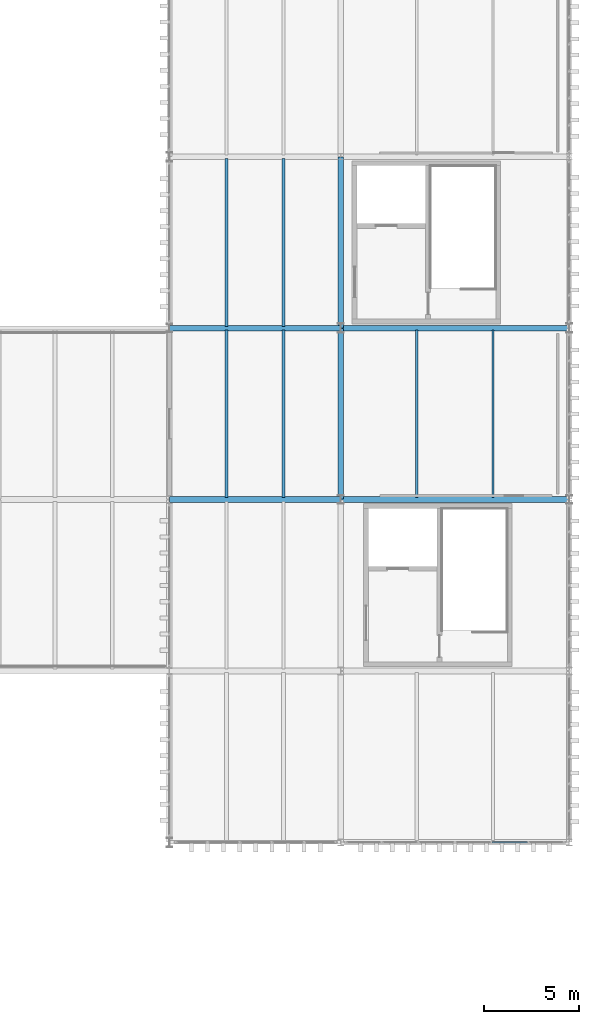
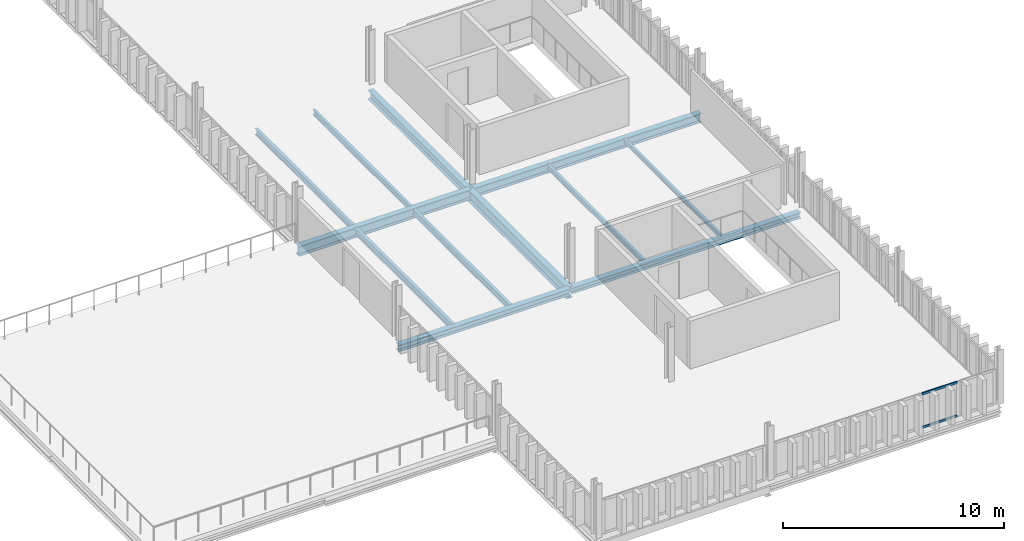
# One storey, part 20 of 58: 12 beams, 2 members, 1 element without a shape of its own.
"""IFC4 building model written with IfcOpenShell, lengths in metres."""

from ifc_helpers import new_model, si_unit, direction, frame, origin, origin_2d, place, context, subcontext, project, spatial, hollow_rectangle, i_section, extrude, material, layer, layer_set, material_profile, profile_set, type_object, element, aggregate, save


model = new_model("IFC4")

# Units and contexts
model_context = context("Model", 3, precision=1e-05, world=origin(), true_north=direction((0.0, 1.0)))
body_context = subcontext(model_context, "Body", "Model", "MODEL_VIEW")
ifc_project = project(units=[si_unit("LENGTHUNIT", "METRE"), si_unit("AREAUNIT", "SQUARE_METRE"), si_unit("VOLUMEUNIT", "CUBIC_METRE"), si_unit("PLANEANGLEUNIT", "RADIAN"), si_unit("MASSUNIT", "GRAM", prefix="KILO")], contexts=[model_context])

# Site, building, storey
site_placement = place(None, origin())
site = spatial("IfcSite", under=ifc_project, at=site_placement, CompositionType="ELEMENT")
building_placement = place(site_placement, origin())
building = spatial("IfcBuilding", under=site, at=building_placement, Name="Barlavento Convention Centre", CompositionType="ELEMENT")
storey_placement = place(building_placement, frame((0.0, 0.0, 26.800048828125)))
storey = spatial("IfcBuildingStorey", under=building, at=storey_placement, Name="L05", CompositionType="ELEMENT", Elevation=26.800048828125)

# Curtain wall, members
ifc_material_1 = material(Name="Powder-coated aluminium and Low-E glass", Category="aluminium")
ifc_layer = layer(ifc_material_1, 0.18994140625)
ifc_layer_set = layer_set([ifc_layer], Name="ARC-CW-CONF-L05")
curtain_wall_type = type_object("IfcCurtainWallType", Name="ARC-CW-CONF-L05", PredefinedType="NOTDEFINED", material=ifc_layer_set)
curtain_wall_placement = place(storey_placement, origin())
curtain_wall = element("IfcCurtainWall", 1, at=curtain_wall_placement, inside=storey, type_object=curtain_wall_type, Name="L05 unitised curtain wall CW10", PredefinedType="NOTDEFINED")
ifc_material_2 = material(Name="Powder-coated aluminium", Category="aluminium")
ifc_material_profile_1 = material_profile(ifc_material_2, hollow_rectangle(XDim=0.06005859375, YDim=0.1201171875, WallThickness=0.00390625, at=origin_2d()), Name="AL-TRAN 60x120x4")
ifc_profile_set_1 = profile_set([ifc_material_profile_1], Name="Powder-coated aluminium")
member_type = type_object("IfcMemberType", Name="ARC-CWT-60X120", PredefinedType="USERDEFINED", material=ifc_profile_set_1)
member_1_placement = place(storey_placement, frame((187.953369140625, 27.0, 0.030029296875), z_axis=(1.0, 0.0, 0.0), x_axis=(0.0, 1.0, 0.0)))
member_1 = element("IfcMember", 2, at=member_1_placement, type_object=member_type, Name="CW10 transom 5.1", ObjectType="TRANSOM", PredefinedType="USERDEFINED", context=body_context, shape_type="SweptSolid", body=[
    extrude(hollow_rectangle(XDim=0.06005859375, YDim=0.1201171875, WallThickness=0.00390625, at=origin_2d()), origin(), (0.0, 0.0, 1.0), 1.86328125),
])
member_2_placement = place(storey_placement, frame((187.953369140625, 27.0, 1.869873046875), z_axis=(1.0, 0.0, 0.0), x_axis=(0.0, 1.0, 0.0)))
member_2 = element("IfcMember", 3, at=member_2_placement, type_object=member_type, Name="CW10 transom 5.2", ObjectType="TRANSOM", PredefinedType="USERDEFINED", context=body_context, shape_type="SweptSolid", body=[
    extrude(hollow_rectangle(XDim=0.06005859375, YDim=0.1201171875, WallThickness=0.00390625, at=origin_2d()), origin(), (0.0, 0.0, 1.0), 1.86328125),
])
aggregate(curtain_wall, [member_1, member_2])

# Beams
ifc_material_3 = material(Name="Steel S355", Category="steel")
ifc_material_profile_2 = material_profile(ifc_material_3, i_section(OverallWidth=0.1201171875, OverallDepth=0.239990234375, WebThickness=0.006103515625, FlangeThickness=0.009765625, FilletRadius=0.014892578125, at=origin_2d()), Name="IPE 240")
ifc_profile_set_2 = profile_set([ifc_material_profile_2], Name="Steel S355")
beam_type_1 = type_object("IfcBeamType", Name="STR-BM-JST-IPE240", PredefinedType="JOIST", material=ifc_profile_set_2)
beam_1_placement = place(storey_placement, frame((188.0, 45.094970703125, -0.47998046875), z_axis=(0.0, 1.0, 0.0), x_axis=(-1.0, 0.0, 0.0)))
element("IfcBeam", 4, at=beam_1_placement, inside=storey, type_object=beam_type_1, Name="L05 composite floor joist SJ09", PredefinedType="JOIST", context=body_context, shape_type="SweptSolid", body=[
    extrude(i_section(OverallWidth=0.1201171875, OverallDepth=0.239990234375, WebThickness=0.006103515625, FlangeThickness=0.009765625, FilletRadius=0.014892578125, at=origin_2d()), origin(), (0.0, 0.0, 1.0), 8.81005859375),
])
ifc_material_profile_3 = material_profile(ifc_material_3, i_section(OverallWidth=0.135009765625, OverallDepth=0.27001953125, WebThickness=0.006591796875, FlangeThickness=0.01025390625, FilletRadius=0.014892578125, at=origin_2d()), Name="IPE 270")
ifc_profile_set_3 = profile_set([ifc_material_profile_3], Name="Steel S355")
beam_type_2 = type_object("IfcBeamType", Name="STR-BM-JST-IPE270", PredefinedType="JOIST", material=ifc_profile_set_3)
beam_2_placement = place(storey_placement, frame((184.0, 45.094970703125, -0.4951171875), z_axis=(0.0, 1.0, 0.0), x_axis=(-1.0, 0.0, 0.0)))
element("IfcBeam", 5, at=beam_2_placement, inside=storey, type_object=beam_type_2, Name="L05 composite floor joist SJ08", PredefinedType="JOIST", context=body_context, shape_type="SweptSolid", body=[
    extrude(i_section(OverallWidth=0.135009765625, OverallDepth=0.27001953125, WebThickness=0.006591796875, FlangeThickness=0.01025390625, FilletRadius=0.014892578125, at=origin_2d()), origin(), (0.0, 0.0, 1.0), 8.81005859375),
])
ifc_material_profile_4 = material_profile(ifc_material_3, i_section(OverallWidth=0.14990234375, OverallDepth=0.300048828125, WebThickness=0.007080078125, FlangeThickness=0.0107421875, FilletRadius=0.014892578125, at=origin_2d()), Name="IPE 300")
ifc_profile_set_4 = profile_set([ifc_material_profile_4], Name="Steel S355")
beam_type_3 = type_object("IfcBeamType", Name="STR-BM-JST-IPE300", PredefinedType="JOIST", material=ifc_profile_set_4)
beam_3_placement = place(storey_placement, frame((177.0, 54.094970703125, -0.510009765625), z_axis=(0.0, 1.0, 0.0), x_axis=(-1.0, 0.0, 0.0)))
element("IfcBeam", 6, at=beam_3_placement, inside=storey, type_object=beam_type_3, Name="L05 composite floor joist SJ07", PredefinedType="JOIST", context=body_context, shape_type="SweptSolid", body=[
    extrude(i_section(OverallWidth=0.14990234375, OverallDepth=0.300048828125, WebThickness=0.007080078125, FlangeThickness=0.0107421875, FilletRadius=0.014892578125, at=origin_2d()), origin(), (0.0, 0.0, 1.0), 8.81005859375),
])
ifc_material_profile_5 = material_profile(ifc_material_3, i_section(OverallWidth=0.159912109375, OverallDepth=0.330078125, WebThickness=0.007568359375, FlangeThickness=0.011474609375, FilletRadius=0.01806640625, at=origin_2d()), Name="IPE 330")
ifc_profile_set_5 = profile_set([ifc_material_profile_5], Name="Steel S355")
beam_type_4 = type_object("IfcBeamType", Name="STR-BM-JST-IPE330", PredefinedType="JOIST", material=ifc_profile_set_5)
for number, where, z_axis, x_axis, name in (
    (7, (177.0, 45.094970703125, -0.525146484375), (0.0, 1.0, 0.0), (-1.0, 0.0, 0.0), "L05 composite floor joist SJ06"),
    (8, (174.0, 54.094970703125, -0.525146484375), (0.0, 1.0, 0.0), (-1.0, 0.0, 0.0), "L05 composite floor joist SJ06"),
):
    element("IfcBeam", number, at=place(storey_placement, frame(where, z_axis=z_axis, x_axis=x_axis)), inside=storey, type_object=beam_type_4, Name=name, PredefinedType="JOIST", context=body_context, shape_type="SweptSolid", body=[
        extrude(i_section(OverallWidth=0.159912109375, OverallDepth=0.330078125, WebThickness=0.007568359375, FlangeThickness=0.011474609375, FilletRadius=0.01806640625, at=origin_2d()), origin(), (0.0, 0.0, 1.0), 8.81005859375),
    ])
ifc_material_profile_6 = material_profile(ifc_material_3, i_section(OverallWidth=0.169921875, OverallDepth=0.360107421875, WebThickness=0.008056640625, FlangeThickness=0.0126953125, FilletRadius=0.01806640625, at=origin_2d()), Name="IPE 360")
ifc_profile_set_6 = profile_set([ifc_material_profile_6], Name="Steel S355")
beam_type_5 = type_object("IfcBeamType", Name="STR-BM-JST-IPE360", PredefinedType="JOIST", material=ifc_profile_set_6)
beam_4_placement = place(storey_placement, frame((174.0, 45.094970703125, -0.5400390625), z_axis=(0.0, 1.0, 0.0), x_axis=(-1.0, 0.0, 0.0)))
element("IfcBeam", 9, at=beam_4_placement, inside=storey, type_object=beam_type_5, Name="L05 composite floor joist SJ05", PredefinedType="JOIST", context=body_context, shape_type="SweptSolid", body=[
    extrude(i_section(OverallWidth=0.169921875, OverallDepth=0.360107421875, WebThickness=0.008056640625, FlangeThickness=0.0126953125, FilletRadius=0.01806640625, at=origin_2d()), origin(), (0.0, 0.0, 1.0), 8.81005859375),
])
ifc_material_profile_7 = material_profile(ifc_material_3, i_section(OverallWidth=0.300048828125, OverallDepth=0.489990234375, WebThickness=0.011962890625, FlangeThickness=0.02294921875, FilletRadius=0.027099609375, at=origin_2d()), Name="HEA 500")
ifc_profile_set_7 = profile_set([ifc_material_profile_7], Name="Steel S355")
beam_type_6 = type_object("IfcBeamType", Name="STR-BM-PRI-HEA500", PredefinedType="BEAM", material=ifc_profile_set_7)
beam_5_placement = place(storey_placement, frame((180.0, 54.02001953125, -0.60498046875), z_axis=(0.0, 1.0, 0.0), x_axis=(-1.0, 0.0, 0.0)))
element("IfcBeam", 10, at=beam_5_placement, inside=storey, type_object=beam_type_6, Name="L05 grid girder BG20", PredefinedType="BEAM", context=body_context, shape_type="SweptSolid", body=[
    extrude(i_section(OverallWidth=0.300048828125, OverallDepth=0.489990234375, WebThickness=0.011962890625, FlangeThickness=0.02294921875, FilletRadius=0.027099609375, at=origin_2d()), origin(), (0.0, 0.0, 1.0), 8.9599609375),
])
ifc_material_profile_8 = material_profile(ifc_material_3, i_section(OverallWidth=0.300048828125, OverallDepth=0.639892578125, WebThickness=0.013427734375, FlangeThickness=0.02587890625, FilletRadius=0.027099609375, at=origin_2d()), Name="HEA 650")
ifc_profile_set_8 = profile_set([ifc_material_profile_8], Name="Steel S355")
beam_type_7 = type_object("IfcBeamType", Name="STR-BM-PRI-HEA650", PredefinedType="BEAM", material=ifc_profile_set_8)
beam_6_placement = place(storey_placement, frame((180.0, 45.02001953125, -0.679931640625), z_axis=(0.0, 1.0, 0.0), x_axis=(-1.0, 0.0, 0.0)))
element("IfcBeam", 11, at=beam_6_placement, inside=storey, type_object=beam_type_7, Name="L05 grid girder BG17", PredefinedType="BEAM", context=body_context, shape_type="SweptSolid", body=[
    extrude(i_section(OverallWidth=0.300048828125, OverallDepth=0.639892578125, WebThickness=0.013427734375, FlangeThickness=0.02587890625, FilletRadius=0.027099609375, at=origin_2d()), origin(), (0.0, 0.0, 1.0), 8.9599609375),
])
ifc_material_profile_9 = material_profile(ifc_material_3, i_section(OverallWidth=0.300048828125, OverallDepth=0.320068359375, WebThickness=0.011474609375, FlangeThickness=0.0205078125, FilletRadius=0.027099609375, at=origin_2d()), Name="HEB 320")
ifc_profile_set_9 = profile_set([ifc_material_profile_9], Name="Steel S355")
beam_type_8 = type_object("IfcBeamType", Name="STR-BM-PRI-HEB320", PredefinedType="BEAM", material=ifc_profile_set_9)
beam_7_placement = place(storey_placement, frame((180.02001953125, 45.0, -0.52001953125), z_axis=(1.0, 0.0, 0.0), x_axis=(0.0, 1.0, 0.0)))
element("IfcBeam", 12, at=beam_7_placement, inside=storey, type_object=beam_type_8, Name="L05 primary girder BG13", PredefinedType="BEAM", context=body_context, shape_type="SweptSolid", body=[
    extrude(i_section(OverallWidth=0.300048828125, OverallDepth=0.320068359375, WebThickness=0.011474609375, FlangeThickness=0.0205078125, FilletRadius=0.027099609375, at=origin_2d()), origin(), (0.0, 0.0, 1.0), 11.9599609375),
])
ifc_material_profile_10 = material_profile(ifc_material_3, i_section(OverallWidth=0.300048828125, OverallDepth=0.360107421875, WebThickness=0.012451171875, FlangeThickness=0.0224609375, FilletRadius=0.027099609375, at=origin_2d()), Name="HEB 360")
ifc_profile_set_10 = profile_set([ifc_material_profile_10], Name="Steel S355")
beam_type_9 = type_object("IfcBeamType", Name="STR-BM-PRI-HEB360", PredefinedType="BEAM", material=ifc_profile_set_10)
beam_8_placement = place(storey_placement, frame((171.02001953125, 45.0, -0.5400390625), z_axis=(1.0, 0.0, 0.0), x_axis=(0.0, 1.0, 0.0)))
element("IfcBeam", 13, at=beam_8_placement, inside=storey, type_object=beam_type_9, Name="L05 primary girder BG12", PredefinedType="BEAM", context=body_context, shape_type="SweptSolid", body=[
    extrude(i_section(OverallWidth=0.300048828125, OverallDepth=0.360107421875, WebThickness=0.012451171875, FlangeThickness=0.0224609375, FilletRadius=0.027099609375, at=origin_2d()), origin(), (0.0, 0.0, 1.0), 8.9599609375),
])
ifc_material_profile_11 = material_profile(ifc_material_3, i_section(OverallWidth=0.300048828125, OverallDepth=0.5, WebThickness=0.014404296875, FlangeThickness=0.028076171875, FilletRadius=0.027099609375, at=origin_2d()), Name="HEB 500")
ifc_profile_set_11 = profile_set([ifc_material_profile_11], Name="Steel S355")
beam_type_10 = type_object("IfcBeamType", Name="STR-BM-PRI-HEB500", PredefinedType="BEAM", material=ifc_profile_set_11)
beam_9_placement = place(storey_placement, frame((180.02001953125, 54.0, -0.610107421875), z_axis=(1.0, 0.0, 0.0), x_axis=(0.0, 1.0, 0.0)))
element("IfcBeam", 14, at=beam_9_placement, inside=storey, type_object=beam_type_10, Name="L05 primary girder BG09", PredefinedType="BEAM", context=body_context, shape_type="SweptSolid", body=[
    extrude(i_section(OverallWidth=0.300048828125, OverallDepth=0.5, WebThickness=0.014404296875, FlangeThickness=0.028076171875, FilletRadius=0.027099609375, at=origin_2d()), origin(), (0.0, 0.0, 1.0), 11.9599609375),
])
ifc_material_profile_12 = material_profile(ifc_material_3, i_section(OverallWidth=0.300048828125, OverallDepth=0.550048828125, WebThickness=0.014892578125, FlangeThickness=0.029052734375, FilletRadius=0.027099609375, at=origin_2d()), Name="HEB 550")
ifc_profile_set_12 = profile_set([ifc_material_profile_12], Name="Steel S355")
beam_type_11 = type_object("IfcBeamType", Name="STR-BM-PRI-HEB550", PredefinedType="BEAM", material=ifc_profile_set_12)
beam_10_placement = place(storey_placement, frame((171.02001953125, 54.0, -0.635009765625), z_axis=(1.0, 0.0, 0.0), x_axis=(0.0, 1.0, 0.0)))
element("IfcBeam", 15, at=beam_10_placement, inside=storey, type_object=beam_type_11, Name="L05 primary girder BG08", PredefinedType="BEAM", context=body_context, shape_type="SweptSolid", body=[
    extrude(i_section(OverallWidth=0.300048828125, OverallDepth=0.550048828125, WebThickness=0.014892578125, FlangeThickness=0.029052734375, FilletRadius=0.027099609375, at=origin_2d()), origin(), (0.0, 0.0, 1.0), 8.9599609375),
])

save(model, "model.ifc")
